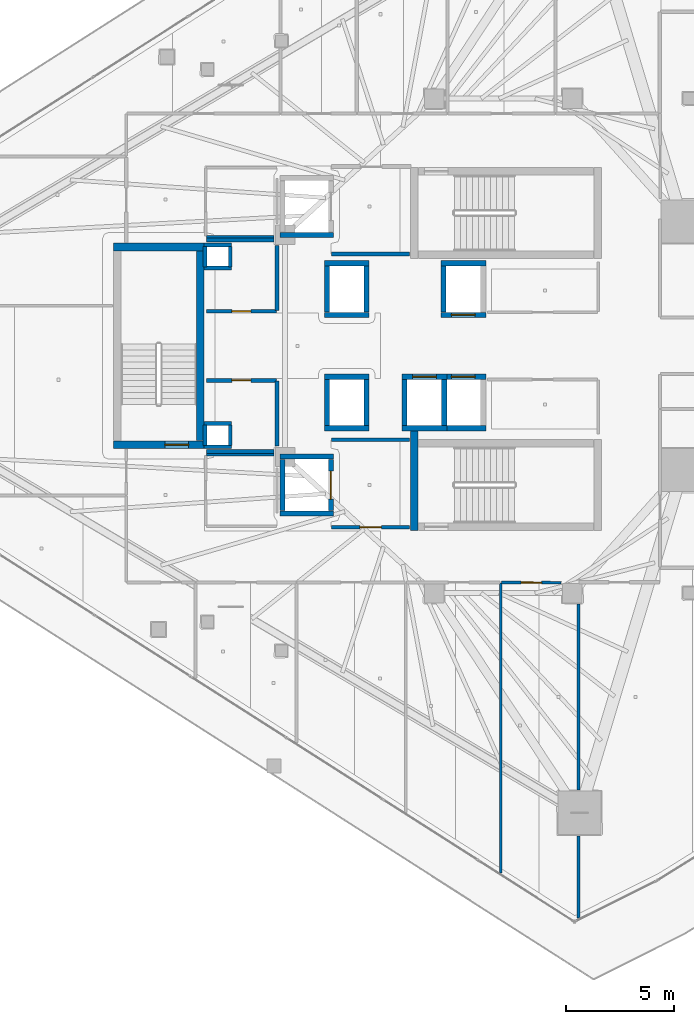
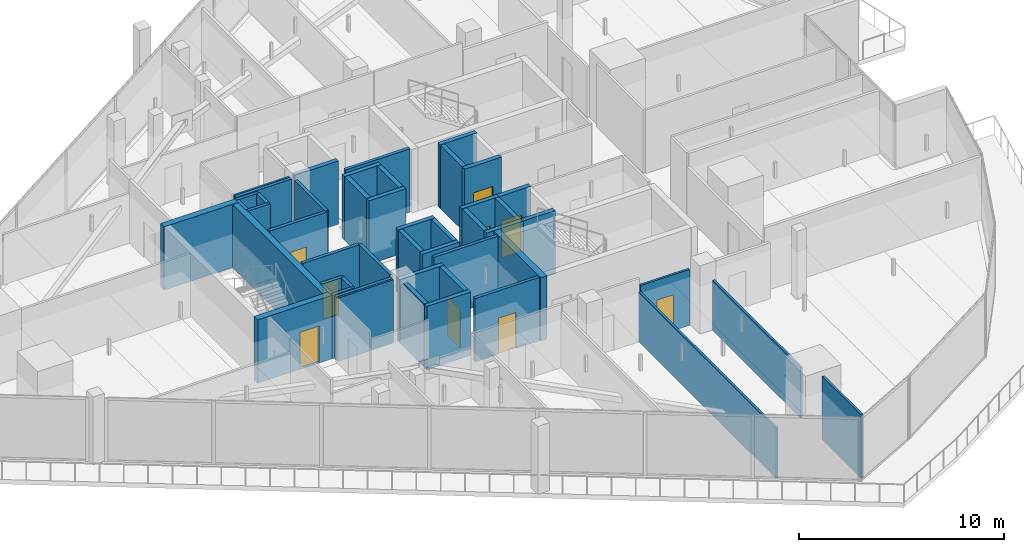
# One storey, part 31 of 43: 49 walls, 9 doors, 9 openings.
"""IFC4 building model written with IfcOpenShell, lengths in metres."""

from ifc_helpers import new_model, si_unit, direction, frame, frame_2d, origin, place, context, subcontext, project, spatial, rectangle, extrude, material, layer, layer_set, type_object, element, fill, save


model = new_model("IFC4")

# Units and contexts
model_context = context("Model", 3, precision=1e-05, world=origin(), true_north=direction((0.0, 1.0)))
body_context = subcontext(model_context, "Body", "Model", "MODEL_VIEW")
ifc_project = project(units=[si_unit("LENGTHUNIT", "METRE"), si_unit("AREAUNIT", "SQUARE_METRE"), si_unit("VOLUMEUNIT", "CUBIC_METRE"), si_unit("PLANEANGLEUNIT", "RADIAN"), si_unit("MASSUNIT", "GRAM", prefix="KILO")], contexts=[model_context])

# Site, building, storey
site_placement = place(None, origin())
site = spatial("IfcSite", under=ifc_project, at=site_placement, CompositionType="ELEMENT")
building_placement = place(site_placement, origin())
building = spatial("IfcBuilding", under=site, at=building_placement, Name="Qorvath Tower", CompositionType="ELEMENT")
storey_placement = place(building_placement, frame((0.0, 0.0, 213.14990234375)))
storey = spatial("IfcBuildingStorey", under=building, at=storey_placement, Name="L49", CompositionType="ELEMENT", Elevation=213.14990234375)

# Walls
ifc_material_1 = material(Name="Gypsum shaftliner on steel studs", Category="steel")
ifc_layer_1 = layer(ifc_material_1, 0.179931640625)
ifc_layer_set_1 = layer_set([ifc_layer_1], Name="FW-LOBBY")
wall_type_1 = type_object("IfcWallType", Name="FW-LOBBY", PredefinedType="PARTITIONING", material=ifc_layer_set_1)
for number, where, z_axis, x_axis, name in (
    (1, (-32.989990234375, 3.594970703125, 0.0), (0.0, 0.0, 1.0), (-1.0, 0.0, 0.0), "MEP Riser Shaft Enclosure Wall N-L49-S"),
    (2, (-34.260009765625, 4.675048828125, 0.0), (0.0, 0.0, 1.0), (1.0, 0.0, 0.0), "MEP Riser Shaft Enclosure Wall N-L49-N"),
):
    element("IfcWall", number, at=place(storey_placement, frame(where, z_axis=z_axis, x_axis=x_axis)), inside=storey, type_object=wall_type_1, Name=name, PredefinedType="PARTITIONING", context=body_context, shape_type="SweptSolid", body=[
        extrude(rectangle(XDim=1.27001953125, YDim=0.179931640625, at=frame_2d((0.635009765625, 0.0))), origin(), (0.0, 0.0, 1.0), 3.780029296875),
    ])
for number, where, z_axis, x_axis, name in (
    (3, (-34.205078125, 3.659912109375, 0.0), (0.0, 0.0, 1.0), (0.0, 1.0, 0.0), "MEP Riser Shaft Enclosure Wall N-L49-W"),
    (4, (-33.044921875, 4.610107421875, 0.0), (0.0, 0.0, 1.0), (0.0, -1.0, 0.0), "MEP Riser Shaft Enclosure Wall N-L49-E"),
):
    element("IfcWall", number, at=place(storey_placement, frame(where, z_axis=z_axis, x_axis=x_axis)), inside=storey, type_object=wall_type_1, Name=name, PredefinedType="PARTITIONING", context=body_context, shape_type="SweptSolid", body=[
        extrude(rectangle(XDim=0.9501953125, YDim=0.179931640625, at=frame_2d((0.47509765625, 0.0))), origin(), (0.0, 0.0, 1.0), 3.780029296875),
    ])
for number, where, z_axis, x_axis, name in (
    (5, (-32.989990234375, -4.675048828125, 0.0), (0.0, 0.0, 1.0), (-1.0, 0.0, 0.0), "MEP Riser Shaft Enclosure Wall S-L49-S"),
    (6, (-34.260009765625, -3.594970703125, 0.0), (0.0, 0.0, 1.0), (1.0, 0.0, 0.0), "MEP Riser Shaft Enclosure Wall S-L49-N"),
):
    element("IfcWall", number, at=place(storey_placement, frame(where, z_axis=z_axis, x_axis=x_axis)), inside=storey, type_object=wall_type_1, Name=name, PredefinedType="PARTITIONING", context=body_context, shape_type="SweptSolid", body=[
        extrude(rectangle(XDim=1.27001953125, YDim=0.179931640625, at=frame_2d((0.635009765625, 0.0))), origin(), (0.0, 0.0, 1.0), 3.780029296875),
    ])
for number, where, z_axis, x_axis, name in (
    (7, (-34.205078125, -4.610107421875, 0.0), (0.0, 0.0, 1.0), (0.0, 1.0, 0.0), "MEP Riser Shaft Enclosure Wall S-L49-W"),
    (8, (-33.044921875, -3.659912109375, 0.0), (0.0, 0.0, 1.0), (0.0, -1.0, 0.0), "MEP Riser Shaft Enclosure Wall S-L49-E"),
):
    element("IfcWall", number, at=place(storey_placement, frame(where, z_axis=z_axis, x_axis=x_axis)), inside=storey, type_object=wall_type_1, Name=name, PredefinedType="PARTITIONING", context=body_context, shape_type="SweptSolid", body=[
        extrude(rectangle(XDim=0.9501953125, YDim=0.179931640625, at=frame_2d((0.47509765625, 0.0))), origin(), (0.0, 0.0, 1.0), 3.780029296875),
    ])
wall_1_placement = place(storey_placement, frame((-28.35498046875, 4.25, 0.0), z_axis=(0.0, 0.0, 1.0), x_axis=(1.0, 0.0, 0.0)))
element("IfcWall", 9, at=wall_1_placement, inside=storey, type_object=wall_type_1, Name="Interior Partition IW-T1-L49-001", PredefinedType="PARTITIONING", context=body_context, shape_type="SweptSolid", body=[
    extrude(rectangle(XDim=3.6220703125, YDim=0.179931640625, at=frame_2d((1.81103515625, 0.0))), origin(), (0.0, 0.0, 1.0), 3.780029296875),
])

# Wall, opening, door
wall_2_placement = place(storey_placement, frame((-28.35498046875, -8.39990234375, 0.0), z_axis=(0.0, 0.0, 1.0), x_axis=(1.0, 0.0, 0.0)))
wall_2 = element("IfcWall", 10, at=wall_2_placement, inside=storey, type_object=wall_type_1, Name="Interior Partition IW-T1-L49-003", PredefinedType="PARTITIONING", context=body_context, shape_type="SweptSolid", body=[
    extrude(rectangle(XDim=3.6220703125, YDim=0.179931640625, at=frame_2d((1.81103515625, 0.0))), origin(), (0.0, 0.0, 1.0), 3.780029296875),
])
opening_1_placement = place(wall_2_placement, frame((1.31103515625, 0.0, 0.0)))
opening_1 = element("IfcOpeningElement", 11, at=opening_1_placement, cuts=wall_2, Name="Opening D-T1-L49-23", PredefinedType="OPENING", context=body_context, shape_type="SweptSolid", body=[
    extrude(rectangle(XDim=1.0, YDim=2.14990234375, at=frame_2d((0.5, 1.074951171875))), frame((0.0, 0.10009765625, 0.0), z_axis=(0.0, -1.0, 0.0), x_axis=(1.0, 0.0, 0.0)), (0.0, 0.0, 1.0), 0.199951171875),
])
ifc_material_2 = material(Name="Painted galvanised hollow metal", Category="steel")
door_type_1 = type_object("IfcDoorType", Name="FD-60", OperationType="NOTDEFINED", PredefinedType="DOOR", material=ifc_material_2)
door_1_placement = place(opening_1_placement, origin())
door_1 = element("IfcDoor", 12, at=door_1_placement, inside=storey, type_object=door_type_1, Name="Lobby Fire Service Elevator South Door D-T1-L49-23", OperationType="SINGLE_SWING_RIGHT", OverallHeight=2.14990234375, OverallWidth=1.0, PredefinedType="DOOR", context=body_context, shape_type="SweptSolid", body=[
    extrude(rectangle(XDim=1.0, YDim=2.14990234375, at=frame_2d((0.5, 1.074951171875))), frame((0.0, 0.02490234375, 0.0), z_axis=(0.0, -1.0, 0.0), x_axis=(1.0, 0.0, 0.0)), (0.0, 0.0, 1.0), 0.050048828125),
])
fill(opening_1, door_1)

# Wall
wall_3_placement = place(storey_placement, frame((-24.73291015625, -4.35009765625, 0.0), z_axis=(0.0, 0.0, 1.0), x_axis=(-1.0, 0.0, 0.0)))
element("IfcWall", 13, at=wall_3_placement, inside=storey, type_object=wall_type_1, Name="Interior Partition IW-T1-L49-004", PredefinedType="PARTITIONING", context=body_context, shape_type="SweptSolid", body=[
    extrude(rectangle(XDim=3.6220703125, YDim=0.179931640625, at=frame_2d((1.81103515625, 0.0))), origin(), (0.0, 0.0, 1.0), 3.780029296875),
])

# Wall, opening, door
wall_4_placement = place(storey_placement, frame((-34.15478515625, 1.60009765625, 0.0), z_axis=(0.0, 0.0, 1.0), x_axis=(1.0, 0.0, 0.0)))
wall_4 = element("IfcWall", 14, at=wall_4_placement, inside=storey, type_object=wall_type_1, Name="Interior Partition IW-T1-L49-017", PredefinedType="PARTITIONING", context=body_context, shape_type="SweptSolid", body=[
    extrude(rectangle(XDim=3.25, YDim=0.179931640625, at=frame_2d((1.625, 0.0))), origin(), (0.0, 0.0, 1.0), 3.780029296875),
])
opening_2_placement = place(wall_4_placement, frame((1.18505859375, 0.0, 0.0)))
opening_2 = element("IfcOpeningElement", 15, at=opening_2_placement, cuts=wall_4, Name="Opening D-T1-L49-05", PredefinedType="OPENING", context=body_context, shape_type="SweptSolid", body=[
    extrude(rectangle(XDim=0.8798828125, YDim=2.10009765625, at=frame_2d((0.43994140625, 1.050048828125))), frame((0.0, 0.10009765625, 0.0), z_axis=(0.0, -1.0, 0.0), x_axis=(1.0, 0.0, 0.0)), (0.0, 0.0, 1.0), 0.199951171875),
])
ifc_material_3 = material(Name="Painted galvanised hollow metal", Category="steel")
door_type_2 = type_object("IfcDoorType", Name="FD-60N", OperationType="NOTDEFINED", PredefinedType="DOOR", material=ifc_material_3)
door_2_placement = place(opening_2_placement, origin())
door_2 = element("IfcDoor", 16, at=door_2_placement, inside=storey, type_object=door_type_2, Name="Core cleaner and custodial room L49 Door D-T1-L49-05", OperationType="SINGLE_SWING_RIGHT", OverallHeight=2.10009765625, OverallWidth=0.8798828125, PredefinedType="DOOR", context=body_context, shape_type="SweptSolid", body=[
    extrude(rectangle(XDim=0.8798828125, YDim=2.10009765625, at=frame_2d((0.43994140625, 1.050048828125))), frame((0.0, 0.02490234375, 0.0), z_axis=(0.0, -1.0, 0.0), x_axis=(1.0, 0.0, 0.0)), (0.0, 0.0, 1.0), 0.050048828125),
])
fill(opening_2, door_2)

# Walls
wall_5_placement = place(storey_placement, frame((-30.8798828125, 1.625, 0.0), z_axis=(0.0, 0.0, 1.0), x_axis=(0.0, 1.0, 0.0)))
element("IfcWall", 17, at=wall_5_placement, inside=storey, type_object=wall_type_1, Name="Interior Partition IW-T1-L49-018", PredefinedType="PARTITIONING", context=body_context, shape_type="SweptSolid", body=[
    extrude(rectangle(XDim=3.010009765625, YDim=0.179931640625, at=frame_2d((1.5048828125, 0.0))), origin(), (0.0, 0.0, 1.0), 3.780029296875),
])
for number, where, z_axis, x_axis, name in (
    (18, (-31.014892578125, 4.89990234375, 0.0), (0.0, 0.0, 1.0), (-1.0, 0.0, 0.0), "Interior Partition IW-T1-L49-019"),
    (19, (-34.15478515625, -4.89990234375, 0.0), (0.0, 0.0, 1.0), (1.0, 0.0, 0.0), "Interior Partition IW-T1-L49-020"),
):
    element("IfcWall", number, at=place(storey_placement, frame(where, z_axis=z_axis, x_axis=x_axis)), inside=storey, type_object=wall_type_1, Name=name, PredefinedType="PARTITIONING", context=body_context, shape_type="SweptSolid", body=[
        extrude(rectangle(XDim=3.139892578125, YDim=0.179931640625, at=frame_2d((1.56982421875, 0.0))), origin(), (0.0, 0.0, 1.0), 3.780029296875),
    ])
wall_6_placement = place(storey_placement, frame((-30.8798828125, -4.635009765625, 0.0), z_axis=(0.0, 0.0, 1.0), x_axis=(0.0, 1.0, 0.0)))
element("IfcWall", 20, at=wall_6_placement, inside=storey, type_object=wall_type_1, Name="Interior Partition IW-T1-L49-021", PredefinedType="PARTITIONING", context=body_context, shape_type="SweptSolid", body=[
    extrude(rectangle(XDim=3.010009765625, YDim=0.179931640625, at=frame_2d((1.5048828125, 0.0))), origin(), (0.0, 0.0, 1.0), 3.780029296875),
])

# Wall, opening, door
wall_7_placement = place(storey_placement, frame((-30.90478515625, -1.60009765625, 0.0), z_axis=(0.0, 0.0, 1.0), x_axis=(-1.0, 0.0, 0.0)))
wall_7 = element("IfcWall", 21, at=wall_7_placement, inside=storey, type_object=wall_type_1, Name="Interior Partition IW-T1-L49-022", PredefinedType="PARTITIONING", context=body_context, shape_type="SweptSolid", body=[
    extrude(rectangle(XDim=3.25, YDim=0.179931640625, at=frame_2d((1.625, 0.0))), origin(), (0.0, 0.0, 1.0), 3.780029296875),
])
opening_3_placement = place(wall_7_placement, frame((1.18505859375, 0.0, 0.0)))
opening_3 = element("IfcOpeningElement", 22, at=opening_3_placement, cuts=wall_7, Name="Opening D-T1-L49-06", PredefinedType="OPENING", context=body_context, shape_type="SweptSolid", body=[
    extrude(rectangle(XDim=0.8798828125, YDim=2.10009765625, at=frame_2d((0.43994140625, 1.050048828125))), frame((0.0, 0.10009765625, 0.0), z_axis=(0.0, -1.0, 0.0), x_axis=(1.0, 0.0, 0.0)), (0.0, 0.0, 1.0), 0.199951171875),
])
door_3_placement = place(opening_3_placement, origin())
door_3 = element("IfcDoor", 23, at=door_3_placement, inside=storey, type_object=door_type_2, Name="Core electrical room L49 Door D-T1-L49-06", OperationType="SINGLE_SWING_LEFT", OverallHeight=2.10009765625, OverallWidth=0.8798828125, PredefinedType="DOOR", context=body_context, shape_type="SweptSolid", body=[
    extrude(rectangle(XDim=0.8798828125, YDim=2.10009765625, at=frame_2d((0.43994140625, 1.050048828125))), frame((0.0, 0.02490234375, 0.0), z_axis=(0.0, -1.0, 0.0), x_axis=(1.0, 0.0, 0.0)), (0.0, 0.0, 1.0), 0.050048828125),
])
fill(opening_3, door_3)

# Walls
ifc_material_4 = material(Name="Gypsum board on metal studs with mineral wool", Category="gypsum")
ifc_layer_2 = layer(ifc_material_4, 0.125)
ifc_layer_set_2 = layer_set([ifc_layer_2], Name="IW-PART-125")
wall_type_2 = type_object("IfcWallType", Name="IW-PART-125", PredefinedType="PARTITIONING", material=ifc_layer_set_2)
wall_8_placement = place(storey_placement, frame((-20.519287109375, -24.4189453125, 0.0), z_axis=(0.0, 0.0, 1.0), x_axis=(0.0, 1.0, 0.0)))
element("IfcWall", 24, at=wall_8_placement, inside=storey, type_object=wall_type_2, Name="Interior Partition IW-T1-L49-043", PredefinedType="PARTITIONING", context=body_context, shape_type="SweptSolid", body=[
    extrude(rectangle(XDim=13.43603515625, YDim=0.125, at=frame_2d((6.718017578125, 0.0))), origin(), (0.0, 0.0, 1.0), 2.97705078125),
])
wall_9_placement = place(storey_placement, frame((-16.918701171875, -26.506103515625, 0.0), z_axis=(0.0, 0.0, 1.0), x_axis=(0.0, 1.0, 0.0)))
element("IfcWall", 25, at=wall_9_placement, inside=storey, type_object=wall_type_2, Name="Interior Partition IW-T1-L49-044", PredefinedType="PARTITIONING", context=body_context, shape_type="SweptSolid", body=[
    extrude(rectangle(XDim=3.81396484375, YDim=0.125, at=frame_2d((1.906982421875, 0.0))), origin(), (0.0, 0.0, 1.0), 3.780029296875),
])
wall_10_placement = place(storey_placement, frame((-16.918701171875, -20.56201171875, 0.0), z_axis=(0.0, 0.0, 1.0), x_axis=(0.0, 1.0, 0.0)))
element("IfcWall", 26, at=wall_10_placement, inside=storey, type_object=wall_type_2, Name="Interior Partition IW-T1-L49-045", PredefinedType="PARTITIONING", context=body_context, shape_type="SweptSolid", body=[
    extrude(rectangle(XDim=8.596923828125, YDim=0.125, at=frame_2d((4.29833984375, 0.0))), origin(), (0.0, 0.0, 1.0), 3.0),
])

# Wall, opening, door
wall_11_placement = place(storey_placement, frame((-17.715087890625, -10.96728515625, 0.0), z_axis=(0.0, 0.0, 1.0), x_axis=(-0.999994395436, 0.003347998857, 0.0)))
wall_11 = element("IfcWall", 27, at=wall_11_placement, inside=storey, type_object=wall_type_2, Name="Interior Partition IW-T1-L49-046", PredefinedType="PARTITIONING", context=body_context, shape_type="SweptSolid", body=[
    extrude(rectangle(XDim=2.77099609375, YDim=0.125, at=frame_2d((1.385498046875, 0.0))), origin(), (0.0, 0.0, 1.0), 3.34375),
])
opening_4_placement = place(wall_11_placement, frame((0.910400390625, 0.0, 0.0)))
opening_4 = element("IfcOpeningElement", 28, at=opening_4_placement, cuts=wall_11, Name="Opening D-T1-L49-15", PredefinedType="OPENING", context=body_context, shape_type="SweptSolid", body=[
    extrude(rectangle(XDim=0.949951171875, YDim=2.14990234375, at=frame_2d((0.47509765625, 1.074951171875))), frame((0.0, 0.072509765625, 0.0), z_axis=(0.0, -1.0, 0.0), x_axis=(1.0, 0.0, 0.0)), (0.0, 0.0, 1.0), 0.14501953125),
])
ifc_material_5 = material(Name="Solid-core American white oak veneer", Category="wood")
door_type_3 = type_object("IfcDoorType", Name="D-01", OperationType="NOTDEFINED", PredefinedType="DOOR", material=ifc_material_5)
door_4_placement = place(opening_4_placement, origin())
door_4 = element("IfcDoor", 29, at=door_4_placement, inside=storey, type_object=door_type_3, Name="L49-09 Executive Partner Office Door D-T1-L49-15", OperationType="SINGLE_SWING_RIGHT", OverallHeight=2.14990234375, OverallWidth=0.949951171875, PredefinedType="DOOR", context=body_context, shape_type="SweptSolid", body=[
    extrude(rectangle(XDim=0.949951171875, YDim=2.14990234375, at=frame_2d((0.47509765625, 1.074951171875))), frame((0.0, 0.02490234375, 0.0), z_axis=(0.0, -1.0, 0.0), x_axis=(1.0, 0.0, 0.0)), (0.0, 0.0, 1.0), 0.050048828125),
])
fill(opening_4, door_4)

# Walls
ifc_material_6 = material(Name="Moisture-resistant cement board on metal studs", Category="gypsum")
ifc_layer_3 = layer(ifc_material_6, 0.110107421875)
ifc_layer_set_3 = layer_set([ifc_layer_3], Name="IW-WC-110")
wall_type_3 = type_object("IfcWallType", Name="IW-WC-110", PredefinedType="PARTITIONING", material=ifc_layer_set_3)
for number, where, z_axis, x_axis, name in (
    (30, (-34.15478515625, 5.050048828125, 0.0), (0.0, 0.0, 1.0), (1.0, 0.0, 0.0), "Interior Partition IW-T1-L49-006"),
    (31, (-31.014892578125, -5.050048828125, 0.0), (0.0, 0.0, 1.0), (-1.0, 0.0, 0.0), "Interior Partition IW-T1-L49-011"),
):
    element("IfcWall", number, at=place(storey_placement, frame(where, z_axis=z_axis, x_axis=x_axis)), inside=storey, type_object=wall_type_3, Name=name, PredefinedType="PARTITIONING", context=body_context, shape_type="SweptSolid", body=[
        extrude(rectangle(XDim=3.139892578125, YDim=0.110107421875, at=frame_2d((1.56982421875, 0.0))), origin(), (0.0, 0.0, 1.0), 3.780029296875),
    ])
ifc_material_7 = material(Name="Concrete C60/75", Category="concrete")
ifc_layer_4 = layer(ifc_material_7, 0.260009765625)
ifc_layer_set_4 = layer_set([ifc_layer_4], Name="SW-SHAFT")
wall_type_4 = type_object("IfcWallType", Name="SW-SHAFT", PredefinedType="SHEAR", material=ifc_layer_set_4)
for number, where, z_axis, x_axis, name in (
    (32, (-28.260009765625, 5.1298828125, 0.0), (0.0, 0.0, 1.0), (-1.0, 0.0, 0.0), "Hoistway Wall FSAE-1 L49 S"),
    (33, (-28.260009765625, -7.77001953125, 0.0), (0.0, 0.0, 1.0), (-1.0, 0.0, 0.0), "Hoistway Wall FSAE-2 L49 S"),
    (34, (-30.739990234375, -5.1298828125, 0.0), (0.0, 0.0, 1.0), (1.0, 0.0, 0.0), "Hoistway Wall FSAE-2 L49 N"),
):
    element("IfcWall", number, at=place(storey_placement, frame(where, z_axis=z_axis, x_axis=x_axis)), inside=storey, type_object=wall_type_4, Name=name, PredefinedType="SHEAR", context=body_context, shape_type="SweptSolid", body=[
        extrude(rectangle(XDim=2.47998046875, YDim=0.239990234375, at=frame_2d((1.239990234375, 0.0))), origin(), (0.0, 0.0, 1.0), 3.780029296875),
    ])
wall_12_placement = place(storey_placement, frame((-30.6201171875, -7.637939453125, 0.0), z_axis=(0.0, 0.0, 1.0), x_axis=(0.0, 1.0, 0.0)))
element("IfcWall", 35, at=wall_12_placement, inside=storey, type_object=wall_type_4, Name="Hoistway Wall FSAE-2 L49 W", PredefinedType="SHEAR", context=body_context, shape_type="SweptSolid", body=[
    extrude(rectangle(XDim=2.3759765625, YDim=0.239990234375, at=frame_2d((1.18798828125, 0.0))), origin(), (0.0, 0.0, 1.0), 3.780029296875),
])

# Wall, opening, door
wall_13_placement = place(storey_placement, frame((-28.3798828125, -5.261962890625, 0.0), z_axis=(0.0, 0.0, 1.0), x_axis=(0.0, -1.0, 0.0)))
wall_13 = element("IfcWall", 36, at=wall_13_placement, inside=storey, type_object=wall_type_4, Name="Hoistway Wall FSAE-2 L49 E", PredefinedType="SHEAR", context=body_context, shape_type="SweptSolid", body=[
    extrude(rectangle(XDim=2.3759765625, YDim=0.239990234375, at=frame_2d((1.18798828125, 0.0))), origin(), (0.0, 0.0, 1.0), 3.780029296875),
])
opening_5_placement = place(wall_13_placement, frame((0.5380859375, 0.0, 0.0)))
opening_5 = element("IfcOpeningElement", 37, at=opening_5_placement, cuts=wall_13, Name="Opening LD-FSAE-2-L49", PredefinedType="OPENING", context=body_context, shape_type="SweptSolid", body=[
    extrude(rectangle(XDim=1.300048828125, YDim=2.300048828125, at=frame_2d((0.64990234375, 1.14990234375))), frame((0.0, 0.1298828125, 0.0), z_axis=(0.0, -1.0, 0.0), x_axis=(1.0, 0.0, 0.0)), (0.0, 0.0, 1.0), 0.260009765625),
])
ifc_material_8 = material(Name="Brushed stainless steel AISI 316", Category="steel")
door_type_4 = type_object("IfcDoorType", Name="LD-02", OperationType="NOTDEFINED", PredefinedType="DOOR", material=ifc_material_8)
door_5_placement = place(opening_5_placement, origin())
door_5 = element("IfcDoor", 38, at=door_5_placement, inside=storey, type_object=door_type_4, Name="Elevator Landing Sliding Door LD-FSAE-2-L49", OperationType="DOUBLE_DOOR_SLIDING", OverallHeight=2.300048828125, OverallWidth=1.300048828125, PredefinedType="DOOR", context=body_context, shape_type="SweptSolid", body=[
    extrude(rectangle(XDim=1.300048828125, YDim=2.300048828125, at=frame_2d((0.64990234375, 1.14990234375))), frame((0.0, 0.02490234375, 0.0), z_axis=(0.0, -1.0, 0.0), x_axis=(1.0, 0.0, 0.0)), (0.0, 0.0, 1.0), 0.050048828125),
])
fill(opening_5, door_5)

# Walls
for number, where, z_axis, x_axis, name in (
    (39, (-26.610107421875, 1.429931640625, 0.0), (0.0, 0.0, 1.0), (-1.0, 0.0, 0.0), "Hoistway Wall PS-1 L49 S"),
    (40, (-28.68994140625, 3.820068359375, 0.0), (0.0, 0.0, 1.0), (1.0, 0.0, 0.0), "Hoistway Wall PS-1 L49 N"),
):
    element("IfcWall", number, at=place(storey_placement, frame(where, z_axis=z_axis, x_axis=x_axis)), inside=storey, type_object=wall_type_4, Name=name, PredefinedType="SHEAR", context=body_context, shape_type="SweptSolid", body=[
        extrude(rectangle(XDim=2.079833984375, YDim=0.239990234375, at=frame_2d((1.0400390625, 0.0))), origin(), (0.0, 0.0, 1.0), 3.780029296875),
    ])
for number, where, z_axis, x_axis, name in (
    (41, (-28.570068359375, 1.56201171875, 0.0), (0.0, 0.0, 1.0), (0.0, 1.0, 0.0), "Hoistway Wall PS-1 L49 W"),
    (42, (-26.72998046875, 3.68798828125, 0.0), (0.0, 0.0, 1.0), (0.0, -1.0, 0.0), "Hoistway Wall PS-1 L49 E"),
):
    element("IfcWall", number, at=place(storey_placement, frame(where, z_axis=z_axis, x_axis=x_axis)), inside=storey, type_object=wall_type_4, Name=name, PredefinedType="SHEAR", context=body_context, shape_type="SweptSolid", body=[
        extrude(rectangle(XDim=2.1259765625, YDim=0.239990234375, at=frame_2d((1.06298828125, 0.0))), origin(), (0.0, 0.0, 1.0), 3.780029296875),
    ])

# Wall, opening, door
wall_14_placement = place(storey_placement, frame((-21.2099609375, 1.429931640625, 0.0), z_axis=(0.0, 0.0, 1.0), x_axis=(-1.0, 0.0, 0.0)))
wall_14 = element("IfcWall", 43, at=wall_14_placement, inside=storey, type_object=wall_type_4, Name="Hoistway Wall PU-1 L49 S", PredefinedType="SHEAR", context=body_context, shape_type="SweptSolid", body=[
    extrude(rectangle(XDim=2.080078125, YDim=0.239990234375, at=frame_2d((1.0400390625, 0.0))), origin(), (0.0, 0.0, 1.0), 3.780029296875),
])
opening_6_placement = place(wall_14_placement, frame((0.489990234375, 0.0, 0.0)))
opening_6 = element("IfcOpeningElement", 44, at=opening_6_placement, cuts=wall_14, Name="Opening LD-PU-1-L49", PredefinedType="OPENING", context=body_context, shape_type="SweptSolid", body=[
    extrude(rectangle(XDim=1.10009765625, YDim=2.199951171875, at=frame_2d((0.550048828125, 1.10009765625))), frame((0.0, 0.1298828125, 0.0), z_axis=(0.0, -1.0, 0.0), x_axis=(1.0, 0.0, 0.0)), (0.0, 0.0, 1.0), 0.260009765625),
])
ifc_material_9 = material(Name="Brushed stainless steel AISI 316", Category="steel")
door_type_5 = type_object("IfcDoorType", Name="LD-01", OperationType="NOTDEFINED", PredefinedType="DOOR", material=ifc_material_9)
door_6_placement = place(opening_6_placement, origin())
door_6 = element("IfcDoor", 45, at=door_6_placement, inside=storey, type_object=door_type_5, Name="Elevator Landing Sliding Door LD-PU-1-L49", OperationType="DOUBLE_DOOR_SLIDING", OverallHeight=2.199951171875, OverallWidth=1.10009765625, PredefinedType="DOOR", context=body_context, shape_type="SweptSolid", body=[
    extrude(rectangle(XDim=1.10009765625, YDim=2.199951171875, at=frame_2d((0.550048828125, 1.10009765625))), frame((0.0, 0.02490234375, 0.0), z_axis=(0.0, -1.0, 0.0), x_axis=(1.0, 0.0, 0.0)), (0.0, 0.0, 1.0), 0.050048828125),
])
fill(opening_6, door_6)

# Walls
wall_15_placement = place(storey_placement, frame((-23.2900390625, 3.820068359375, 0.0), z_axis=(0.0, 0.0, 1.0), x_axis=(1.0, 0.0, 0.0)))
element("IfcWall", 46, at=wall_15_placement, inside=storey, type_object=wall_type_4, Name="Hoistway Wall PU-1 L49 N", PredefinedType="SHEAR", context=body_context, shape_type="SweptSolid", body=[
    extrude(rectangle(XDim=2.080078125, YDim=0.239990234375, at=frame_2d((1.0400390625, 0.0))), origin(), (0.0, 0.0, 1.0), 3.780029296875),
])
wall_16_placement = place(storey_placement, frame((-23.169921875, 1.56201171875, 0.0), z_axis=(0.0, 0.0, 1.0), x_axis=(0.0, 1.0, 0.0)))
element("IfcWall", 47, at=wall_16_placement, inside=storey, type_object=wall_type_4, Name="Hoistway Wall PU-1 L49 W", PredefinedType="SHEAR", context=body_context, shape_type="SweptSolid", body=[
    extrude(rectangle(XDim=2.1259765625, YDim=0.239990234375, at=frame_2d((1.06298828125, 0.0))), origin(), (0.0, 0.0, 1.0), 3.780029296875),
])
for number, where, z_axis, x_axis, name in (
    (48, (-26.610107421875, -3.820068359375, 0.0), (0.0, 0.0, 1.0), (-1.0, 0.0, 0.0), "Hoistway Wall PS-2 L49 S"),
    (49, (-28.68994140625, -1.429931640625, 0.0), (0.0, 0.0, 1.0), (1.0, 0.0, 0.0), "Hoistway Wall PS-2 L49 N"),
):
    element("IfcWall", number, at=place(storey_placement, frame(where, z_axis=z_axis, x_axis=x_axis)), inside=storey, type_object=wall_type_4, Name=name, PredefinedType="SHEAR", context=body_context, shape_type="SweptSolid", body=[
        extrude(rectangle(XDim=2.079833984375, YDim=0.239990234375, at=frame_2d((1.0400390625, 0.0))), origin(), (0.0, 0.0, 1.0), 3.780029296875),
    ])
for number, where, z_axis, x_axis, name in (
    (50, (-28.570068359375, -3.68798828125, 0.0), (0.0, 0.0, 1.0), (0.0, 1.0, 0.0), "Hoistway Wall PS-2 L49 W"),
    (51, (-26.72998046875, -1.56201171875, 0.0), (0.0, 0.0, 1.0), (0.0, -1.0, 0.0), "Hoistway Wall PS-2 L49 E"),
):
    element("IfcWall", number, at=place(storey_placement, frame(where, z_axis=z_axis, x_axis=x_axis)), inside=storey, type_object=wall_type_4, Name=name, PredefinedType="SHEAR", context=body_context, shape_type="SweptSolid", body=[
        extrude(rectangle(XDim=2.1259765625, YDim=0.239990234375, at=frame_2d((1.06298828125, 0.0))), origin(), (0.0, 0.0, 1.0), 3.780029296875),
    ])
wall_17_placement = place(storey_placement, frame((-23.010009765625, -3.820068359375, 0.0), z_axis=(0.0, 0.0, 1.0), x_axis=(-1.0, 0.0, 0.0)))
element("IfcWall", 52, at=wall_17_placement, inside=storey, type_object=wall_type_4, Name="Hoistway Wall PU-2 L49 S", PredefinedType="SHEAR", context=body_context, shape_type="SweptSolid", body=[
    extrude(rectangle(XDim=2.080078125, YDim=0.239990234375, at=frame_2d((1.0400390625, 0.0))), origin(), (0.0, 0.0, 1.0), 3.780029296875),
])

# Wall, opening, door
wall_18_placement = place(storey_placement, frame((-25.090087890625, -1.429931640625, 0.0), z_axis=(0.0, 0.0, 1.0), x_axis=(1.0, 0.0, 0.0)))
wall_18 = element("IfcWall", 53, at=wall_18_placement, inside=storey, type_object=wall_type_4, Name="Hoistway Wall PU-2 L49 N", PredefinedType="SHEAR", context=body_context, shape_type="SweptSolid", body=[
    extrude(rectangle(XDim=2.080078125, YDim=0.239990234375, at=frame_2d((1.0400390625, 0.0))), origin(), (0.0, 0.0, 1.0), 3.780029296875),
])
opening_7_placement = place(wall_18_placement, frame((0.489990234375, 0.0, 0.0)))
opening_7 = element("IfcOpeningElement", 54, at=opening_7_placement, cuts=wall_18, Name="Opening LD-PU-2-L49", PredefinedType="OPENING", context=body_context, shape_type="SweptSolid", body=[
    extrude(rectangle(XDim=1.10009765625, YDim=2.199951171875, at=frame_2d((0.550048828125, 1.10009765625))), frame((0.0, 0.1298828125, 0.0), z_axis=(0.0, -1.0, 0.0), x_axis=(1.0, 0.0, 0.0)), (0.0, 0.0, 1.0), 0.260009765625),
])
door_7_placement = place(opening_7_placement, origin())
door_7 = element("IfcDoor", 55, at=door_7_placement, inside=storey, type_object=door_type_5, Name="Elevator Landing Sliding Door LD-PU-2-L49", OperationType="DOUBLE_DOOR_SLIDING", OverallHeight=2.199951171875, OverallWidth=1.10009765625, PredefinedType="DOOR", context=body_context, shape_type="SweptSolid", body=[
    extrude(rectangle(XDim=1.10009765625, YDim=2.199951171875, at=frame_2d((0.550048828125, 1.10009765625))), frame((0.0, 0.02490234375, 0.0), z_axis=(0.0, -1.0, 0.0), x_axis=(1.0, 0.0, 0.0)), (0.0, 0.0, 1.0), 0.050048828125),
])
fill(opening_7, door_7)

# Walls
for number, where, z_axis, x_axis, name in (
    (56, (-24.969970703125, -3.68798828125, 0.0), (0.0, 0.0, 1.0), (0.0, 1.0, 0.0), "Hoistway Wall PU-2 L49 W"),
    (57, (-23.1298828125, -1.56201171875, 0.0), (0.0, 0.0, 1.0), (0.0, -1.0, 0.0), "Hoistway Wall PU-2 L49 E"),
):
    element("IfcWall", number, at=place(storey_placement, frame(where, z_axis=z_axis, x_axis=x_axis)), inside=storey, type_object=wall_type_4, Name=name, PredefinedType="SHEAR", context=body_context, shape_type="SweptSolid", body=[
        extrude(rectangle(XDim=2.1259765625, YDim=0.239990234375, at=frame_2d((1.06298828125, 0.0))), origin(), (0.0, 0.0, 1.0), 3.780029296875),
    ])
wall_19_placement = place(storey_placement, frame((-21.2099609375, -3.820068359375, 0.0), z_axis=(0.0, 0.0, 1.0), x_axis=(-1.0, 0.0, 0.0)))
element("IfcWall", 58, at=wall_19_placement, inside=storey, type_object=wall_type_4, Name="Hoistway Wall PU-3 L49 S", PredefinedType="SHEAR", context=body_context, shape_type="SweptSolid", body=[
    extrude(rectangle(XDim=1.800048828125, YDim=0.239990234375, at=frame_2d((0.89990234375, 0.0))), origin(), (0.0, 0.0, 1.0), 3.780029296875),
])

# Wall, opening, door
wall_20_placement = place(storey_placement, frame((-23.010009765625, -1.429931640625, 0.0), z_axis=(0.0, 0.0, 1.0), x_axis=(1.0, 0.0, 0.0)))
wall_20 = element("IfcWall", 59, at=wall_20_placement, inside=storey, type_object=wall_type_4, Name="Hoistway Wall PU-3 L49 N", PredefinedType="SHEAR", context=body_context, shape_type="SweptSolid", body=[
    extrude(rectangle(XDim=1.800048828125, YDim=0.239990234375, at=frame_2d((0.89990234375, 0.0))), origin(), (0.0, 0.0, 1.0), 3.780029296875),
])
opening_8_placement = place(wall_20_placement, frame((0.2099609375, 0.0, 0.0)))
opening_8 = element("IfcOpeningElement", 60, at=opening_8_placement, cuts=wall_20, Name="Opening LD-PU-3-L49", PredefinedType="OPENING", context=body_context, shape_type="SweptSolid", body=[
    extrude(rectangle(XDim=1.10009765625, YDim=2.199951171875, at=frame_2d((0.550048828125, 1.10009765625))), frame((0.0, 0.1298828125, 0.0), z_axis=(0.0, -1.0, 0.0), x_axis=(1.0, 0.0, 0.0)), (0.0, 0.0, 1.0), 0.260009765625),
])
door_8_placement = place(opening_8_placement, origin())
door_8 = element("IfcDoor", 61, at=door_8_placement, inside=storey, type_object=door_type_5, Name="Elevator Landing Sliding Door LD-PU-3-L49", OperationType="DOUBLE_DOOR_SLIDING", OverallHeight=2.199951171875, OverallWidth=1.10009765625, PredefinedType="DOOR", context=body_context, shape_type="SweptSolid", body=[
    extrude(rectangle(XDim=1.10009765625, YDim=2.199951171875, at=frame_2d((0.550048828125, 1.10009765625))), frame((0.0, 0.02490234375, 0.0), z_axis=(0.0, -1.0, 0.0), x_axis=(1.0, 0.0, 0.0)), (0.0, 0.0, 1.0), 0.050048828125),
])
fill(opening_8, door_8)

# Wall
ifc_material_10 = material(Name="Concrete C60/75", Category="concrete")
ifc_layer_5 = layer(ifc_material_10, 0.35009765625)
ifc_layer_set_5 = layer_set([ifc_layer_5], Name="SW-STAIR")
wall_type_5 = type_object("IfcWallType", Name="SW-STAIR", PredefinedType="SHEAR", material=ifc_layer_set_5)
wall_21_placement = place(storey_placement, frame((-24.52490234375, -3.93994140625, 0.0), z_axis=(0.0, 0.0, 1.0), x_axis=(0.0, -1.0, 0.0)))
element("IfcWall", 62, at=wall_21_placement, inside=storey, type_object=wall_type_5, Name="Stair TS2 Shear Wall L49 NEAR", PredefinedType="SHEAR", context=body_context, shape_type="SweptSolid", body=[
    extrude(rectangle(XDim=4.610107421875, YDim=0.35009765625, at=frame_2d((2.30517578125, 0.0))), origin(), (0.0, 0.0, 1.0), 3.780029296875),
])

# Wall, opening, door
wall_22_placement = place(storey_placement, frame((-38.4599609375, -4.574951171875, 0.0), z_axis=(0.0, 0.0, 1.0), x_axis=(1.0, 0.0, 0.0)))
wall_22 = element("IfcWall", 63, at=wall_22_placement, inside=storey, type_object=wall_type_5, Name="Stair TS3 Shear Wall L49 NEAR", PredefinedType="SHEAR", context=body_context, shape_type="SweptSolid", body=[
    extrude(rectangle(XDim=4.2099609375, YDim=0.35009765625, at=frame_2d((2.10498046875, 0.0))), origin(), (0.0, 0.0, 1.0), 3.780029296875),
])
opening_9_placement = place(wall_22_placement, frame((2.389892578125, 0.0, 0.0)))
opening_9 = element("IfcOpeningElement", 64, at=opening_9_placement, cuts=wall_22, Name="Opening D-TS3-L49", PredefinedType="OPENING", context=body_context, shape_type="SweptSolid", body=[
    extrude(rectangle(XDim=1.10009765625, YDim=2.199951171875, at=frame_2d((0.550048828125, 1.10009765625))), frame((0.0, 0.18505859375, 0.0), z_axis=(0.0, -1.0, 0.0), x_axis=(1.0, 0.0, 0.0)), (0.0, 0.0, 1.0), 0.3701171875),
])
ifc_material_11 = material(Name="Painted galvanised hollow metal", Category="steel")
door_type_6 = type_object("IfcDoorType", Name="FD-90", OperationType="NOTDEFINED", PredefinedType="DOOR", material=ifc_material_11)
door_9_placement = place(opening_9_placement, origin())
door_9 = element("IfcDoor", 65, at=door_9_placement, inside=storey, type_object=door_type_6, Name="Stair TS3 Fire Door L49", OperationType="SINGLE_SWING_RIGHT", OverallHeight=2.199951171875, OverallWidth=1.10009765625, PredefinedType="DOOR", context=body_context, shape_type="SweptSolid", body=[
    extrude(rectangle(XDim=1.10009765625, YDim=2.199951171875, at=frame_2d((0.550048828125, 1.10009765625))), frame((0.0, 0.02490234375, 0.0), z_axis=(0.0, -1.0, 0.0), x_axis=(1.0, 0.0, 0.0)), (0.0, 0.0, 1.0), 0.050048828125),
])
fill(opening_9, door_9)

# Walls
wall_23_placement = place(storey_placement, frame((-34.25, 4.574951171875, 0.0), z_axis=(0.0, 0.0, 1.0), x_axis=(-1.0, 0.0, 0.0)))
element("IfcWall", 66, at=wall_23_placement, inside=storey, type_object=wall_type_5, Name="Stair TS3 Shear Wall L49 FAR", PredefinedType="SHEAR", context=body_context, shape_type="SweptSolid", body=[
    extrude(rectangle(XDim=4.2099609375, YDim=0.35009765625, at=frame_2d((2.10498046875, 0.0))), origin(), (0.0, 0.0, 1.0), 3.780029296875),
])
wall_24_placement = place(storey_placement, frame((-34.425048828125, -4.385009765625, 0.0), z_axis=(0.0, 0.0, 1.0), x_axis=(0.0, 1.0, 0.0)))
element("IfcWall", 67, at=wall_24_placement, inside=storey, type_object=wall_type_5, Name="Stair TS3 Shear Wall L49 LEFT", PredefinedType="SHEAR", context=body_context, shape_type="SweptSolid", body=[
    extrude(rectangle(XDim=8.77001953125, YDim=0.35009765625, at=frame_2d((4.385009765625, 0.0))), origin(), (0.0, 0.0, 1.0), 3.780029296875),
])

save(model, "model.ifc")
